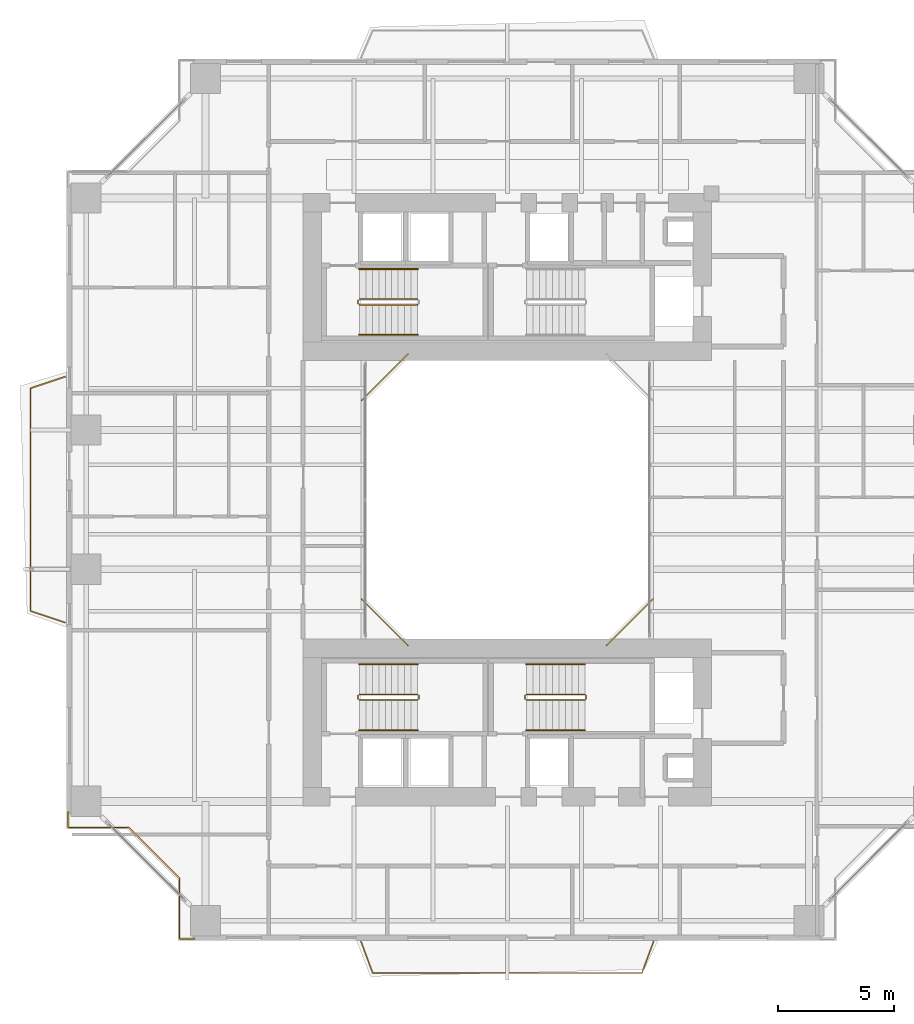
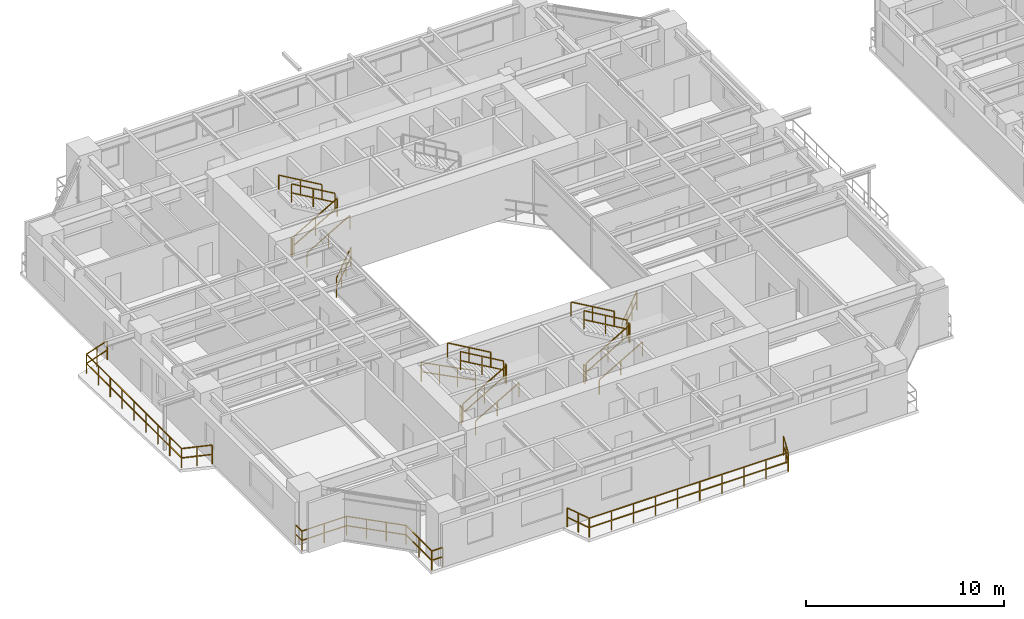
# One storey, part 20 of 23: 23 railings.
"""IFC4 building model written with IfcOpenShell, lengths in metres."""

import ifcopenshell
import ifcopenshell.guid

model = None  # the IFC model being written
_history = None  # IfcOwnerHistory: only IFC2X3 demands one
_inside = {}  # id of a spatial element -> (the spatial element, [elements in it])
_under = {}  # id of a project, library or spatial element -> (it, [spatial elements below it])
_declared = {}  # id of a project -> (the project, [libraries it declares])
_typed = {}  # id of a type object -> (the type object, [elements of that type])
_made_of = {}  # id of a material, layer set ... -> (it, [elements and type objects made of it])


def new_model(schema):
    """Start an empty IFC model of exactly this schema.

    Asked for "IFC4X3", IfcOpenShell would pick the latest addendum, in which some entities
    have other attributes; the version numbers below select the first issue.
    IFC2X3 requires an IfcOwnerHistory on every rooted entity: one is made here for all.
    """
    global model, _history
    if schema == "IFC4X3":
        model = ifcopenshell.file(schema_version=(4, 3, 0, 0))
    else:
        model = ifcopenshell.file(schema=schema)
    _inside.clear()
    _under.clear()
    _declared.clear()
    _typed.clear()
    _made_of.clear()
    _history = None
    if model.schema == "IFC2X3":
        org = make("IfcOrganization", Name="unknown")
        user = make(
            "IfcPersonAndOrganization",
            ThePerson=make("IfcPerson", FamilyName="unknown"),
            TheOrganization=org,
        )
        app = make(
            "IfcApplication",
            ApplicationDeveloper=org,
            Version="unknown",
            ApplicationFullName="unknown",
            ApplicationIdentifier="unknown",
        )
        _history = make(
            "IfcOwnerHistory",
            OwningUser=user,
            OwningApplication=app,
            ChangeAction="ADDED",
            CreationDate=0,
        )
    return model


def make(cls, **values):
    """One entity of the class cls with the attributes given. An attribute that is None is left unset."""
    return model.create_entity(
        cls, **{name: value for name, value in values.items() if value is not None}
    )


def rooted(cls, **values):
    """An entity with a GlobalId (a new one), such as an element, a storey or a relation."""
    return make(cls, GlobalId=ifcopenshell.guid.new(), OwnerHistory=_history, **values)


def si_unit(unit_type, name, prefix=None):
    """IfcSIUnit, for example si_unit("LENGTHUNIT", "METRE", prefix="MILLI")."""
    return make("IfcSIUnit", UnitType=unit_type, Prefix=prefix, Name=name)


def assignment(units):
    """IfcUnitAssignment: the units of a project."""
    return None if units is None else make("IfcUnitAssignment", Units=units)


def point(xyz):
    """IfcCartesianPoint."""
    return None if xyz is None else make("IfcCartesianPoint", Coordinates=xyz)


def direction(xyz):
    """IfcDirection."""
    return None if xyz is None else make("IfcDirection", DirectionRatios=xyz)


def frame(location, z_axis=None, x_axis=None):
    """IfcAxis2Placement3D, a coordinate frame: its origin and axes. An axis left out is left unset."""
    return make(
        "IfcAxis2Placement3D",
        Location=point(location),
        Axis=direction(z_axis),
        RefDirection=direction(x_axis),
    )


def frame_2d(location, x_axis=None):
    """IfcAxis2Placement2D, a coordinate frame in the plane: its origin and x axis."""
    return make(
        "IfcAxis2Placement2D", Location=point(location), RefDirection=direction(x_axis)
    )


def origin():
    """The frame at (0, 0, 0) with its axes left unset."""
    return frame((0.0, 0.0, 0.0))


def origin_2d():
    """The frame at (0, 0) in the plane with its x axis left unset."""
    return frame_2d((0.0, 0.0))


def place(relative_to, where):
    """IfcLocalPlacement: puts the frame where relative to a parent placement (None: the world)."""
    return make(
        "IfcLocalPlacement", PlacementRelTo=relative_to, RelativePlacement=where
    )


def context(
    kind, dimensions, precision=None, world=None, true_north=None, identifier=None
):
    """IfcGeometricRepresentationContext, for example the 3D "Model" context."""
    return make(
        "IfcGeometricRepresentationContext",
        ContextIdentifier=identifier,
        ContextType=kind,
        CoordinateSpaceDimension=dimensions,
        Precision=precision,
        WorldCoordinateSystem=world,
        TrueNorth=true_north,
    )


def subcontext(parent, identifier, kind, view, scale=None):
    """IfcGeometricRepresentationSubContext, for example "Body" below "Model"."""
    return make(
        "IfcGeometricRepresentationSubContext",
        ContextIdentifier=identifier,
        ContextType=kind,
        ParentContext=parent,
        TargetScale=scale,
        TargetView=view,
    )


def project(units=None, contexts=None):
    """IfcProject with its units and contexts."""
    return rooted(
        "IfcProject",
        Name="project",
        RepresentationContexts=contexts,
        UnitsInContext=assignment(units),
    )


def spatial(cls, under=None, at=None, **own):
    """A site, building, storey or space (cls), placed at a placement, below another one or the project."""
    s = rooted(cls, ObjectPlacement=at, **own)
    if under is not None:
        _under.setdefault(under.id(), (under, []))[1].append(s)
    return s


def profile(cls, at=None, kind="AREA", **sizes):
    """A parametric profile (cls). Its sizes go by their IFC names, for example OverallWidth=200.0."""
    return make(cls, ProfileType=kind, Position=at, **sizes)


def rectangle(**sizes):
    """IfcRectangleProfileDef."""
    return profile("IfcRectangleProfileDef", **sizes)


def extrude(swept, where, along, depth):
    """IfcExtrudedAreaSolid: the profile swept, set in the frame where, extruded along a direction by depth."""
    return make(
        "IfcExtrudedAreaSolid",
        SweptArea=swept,
        Position=where,
        ExtrudedDirection=direction(along),
        Depth=depth,
    )


def shape(context_of_items, identifier, shape_type, items):
    """IfcShapeRepresentation: the items that make up one representation, for example the "Body"."""
    return make(
        "IfcShapeRepresentation",
        ContextOfItems=context_of_items,
        RepresentationIdentifier=identifier,
        RepresentationType=shape_type,
        Items=items,
    )


def material(Name=None, Category=None):
    """IfcMaterial."""
    return make("IfcMaterial", Name=Name, Category=Category)


def made_of(thing, what):
    """Note that an element or type object is made of a material, layer set ...; save() writes the relation."""
    if what is not None:
        _made_of.setdefault(what.id(), (what, []))[1].append(thing)
    return thing


def type_object(cls, material=None, **own):
    """A type object (cls), such as IfcWallType, which elements share."""
    return made_of(rooted(cls, **own), material)


def element(
    cls,
    number,
    at=None,
    inside=None,
    cuts=None,
    type_object=None,
    material=None,
    context=None,
    identifier="Body",
    shape_type=None,
    held_by="IfcProductDefinitionShape",
    body=None,
    shapes=None,
    **own,
):
    """One element of the class cls, such as IfcWall. Its Tag is "e" and its number.

    at: its placement. inside: the storey or other place that contains it. cuts: it is an
    opening in that element (IfcRelVoidsElement). A single representation is given by context,
    identifier, shape_type and body (its items); several are given by shapes. held_by: the class
    of the entity that holds the representations. save() writes the other relations.
    """
    e = rooted(cls, Tag="e%d" % number, ObjectPlacement=at, **own)
    if body is not None:
        shapes = [shape(context, identifier, shape_type, body)]
    if shapes is not None:
        e.Representation = make(held_by, Representations=shapes)
    if inside is not None:
        _inside.setdefault(inside.id(), (inside, []))[1].append(e)
    if cuts is not None:
        rooted(
            "IfcRelVoidsElement", RelatingBuildingElement=cuts, RelatedOpeningElement=e
        )
    if type_object is not None:
        _typed.setdefault(type_object.id(), (type_object, []))[1].append(e)
    return made_of(e, material)


def aggregate(whole, parts):
    """IfcRelAggregates: a whole, such as a stair, and the parts it consists of."""
    return rooted("IfcRelAggregates", RelatingObject=whole, RelatedObjects=parts)


def save(model, path):
    """Write the relations noted so far, then the file.

    IfcRelAggregates (storeys below a building ...), IfcRelContainedInSpatialStructure (elements
    in a storey), IfcRelDefinesByType, IfcRelAssociatesMaterial and IfcRelDeclares: one each for
    every whole, place, type object, material and project.
    """
    for whole, parts in _under.values():
        aggregate(whole, parts)
    for where, things in _inside.values():
        rooted(
            "IfcRelContainedInSpatialStructure",
            RelatedElements=things,
            RelatingStructure=where,
        )
    for kind, things in _typed.values():
        rooted("IfcRelDefinesByType", RelatedObjects=things, RelatingType=kind)
    for what, things in _made_of.values():
        rooted("IfcRelAssociatesMaterial", RelatedObjects=things, RelatingMaterial=what)
    for by, libraries in _declared.values():
        rooted("IfcRelDeclares", RelatingContext=by, RelatedDefinitions=libraries)
    model.write(path)


model = new_model("IFC4")

# Units and contexts
model_context = context("Model", 3, precision=1e-05, world=origin(), true_north=direction((0.0, 1.0)))
body_context = subcontext(model_context, "Body", "Model", "MODEL_VIEW")
ifc_project = project(units=[si_unit("LENGTHUNIT", "METRE"), si_unit("AREAUNIT", "SQUARE_METRE"), si_unit("VOLUMEUNIT", "CUBIC_METRE"), si_unit("PLANEANGLEUNIT", "RADIAN"), si_unit("MASSUNIT", "GRAM", prefix="KILO"), si_unit("THERMODYNAMICTEMPERATUREUNIT", "KELVIN"), si_unit("POWERUNIT", "WATT")], contexts=[model_context])

# Site, building, storey
site_placement = place(None, origin())
site = spatial("IfcSite", under=ifc_project, at=site_placement, CompositionType="ELEMENT")
building_placement = place(site_placement, origin())
building = spatial("IfcBuilding", under=site, at=building_placement, Name="Qiaomeng Ring Towers", CompositionType="ELEMENT")
storey_placement = place(building_placement, frame((0.0, 0.0, 39.25)))
storey = spatial("IfcBuildingStorey", under=building, at=storey_placement, Name="L10", CompositionType="ELEMENT", Elevation=39.25)

# Railings
ifc_material_1 = material(Name="Low-E pale-green laminated safety glass", Category="glass")
railing_type_1 = type_object("IfcRailingType", Name="ARC-RL-BAL1", PredefinedType="BALUSTRADE", material=ifc_material_1)
railing_1_placement = place(storey_placement, frame((23.280029296875, 16.719970703125, 0.0)))
element("IfcRailing", 1, at=railing_1_placement, inside=storey, type_object=railing_type_1, Name="L10 Balustrade ARC-BAL-WELL1-L10-1", PredefinedType="BALUSTRADE", context=body_context, shape_type="SweptSolid", body=[
    extrude(rectangle(XDim=0.048095703125, YDim=0.048095703125, at=origin_2d()), frame((0.0, 0.0, 1.17578125), z_axis=(0.707106781187, 0.707106781187, 0.0), x_axis=(-0.707106781187, 0.707106781187, 0.0)), (0.0, 0.0, 1.0), 2.828369140625),
    extrude(rectangle(XDim=0.048095703125, YDim=0.048095703125, at=origin_2d()), frame((0.0, 0.0, 0.60009765625), z_axis=(0.707106781187, 0.707106781187, 0.0), x_axis=(-0.707106781187, 0.707106781187, 0.0)), (0.0, 0.0, 1.0), 2.828369140625),
    extrude(rectangle(XDim=0.0419921875, YDim=0.0419921875, at=origin_2d()), origin(), (0.0, 0.0, 1.0), 1.15185546875),
    extrude(rectangle(XDim=0.0419921875, YDim=0.0419921875, at=origin_2d()), frame((0.666748046875, 0.666748046875, 0.0)), (0.0, 0.0, 1.0), 1.15185546875),
    extrude(rectangle(XDim=0.0419921875, YDim=0.0419921875, at=origin_2d()), frame((1.333251953125, 1.333251953125, 0.0)), (0.0, 0.0, 1.0), 1.15185546875),
    extrude(rectangle(XDim=0.0419921875, YDim=0.0419921875, at=origin_2d()), frame((2.0, 2.0, 0.0)), (0.0, 0.0, 1.0), 1.15185546875),
])
railing_2_placement = place(storey_placement, frame((14.719970703125, 29.280029296875, 0.0)))
element("IfcRailing", 2, at=railing_2_placement, inside=storey, type_object=railing_type_1, Name="L10 Balustrade ARC-BAL-WELL1-L10-3", PredefinedType="BALUSTRADE", context=body_context, shape_type="SweptSolid", body=[
    extrude(rectangle(XDim=0.048095703125, YDim=0.048095703125, at=origin_2d()), frame((0.0, 0.0, 1.17578125), z_axis=(-0.707106781187, -0.707106781187, 0.0), x_axis=(0.707106781187, -0.707106781187, 0.0)), (0.0, 0.0, 1.0), 2.828369140625),
    extrude(rectangle(XDim=0.048095703125, YDim=0.048095703125, at=origin_2d()), frame((0.0, 0.0, 0.60009765625), z_axis=(-0.707106781187, -0.707106781187, 0.0), x_axis=(0.707106781187, -0.707106781187, 0.0)), (0.0, 0.0, 1.0), 2.828369140625),
    extrude(rectangle(XDim=0.0419921875, YDim=0.0419921875, at=origin_2d()), origin(), (0.0, 0.0, 1.0), 1.15185546875),
    extrude(rectangle(XDim=0.0419921875, YDim=0.0419921875, at=origin_2d()), frame((-0.666748046875, -0.666748046875, 0.0)), (0.0, 0.0, 1.0), 1.15185546875),
    extrude(rectangle(XDim=0.0419921875, YDim=0.0419921875, at=origin_2d()), frame((-1.333251953125, -1.333251953125, 0.0)), (0.0, 0.0, 1.0), 1.15185546875),
    extrude(rectangle(XDim=0.0419921875, YDim=0.0419921875, at=origin_2d()), frame((-2.0, -2.0, 0.0)), (0.0, 0.0, 1.0), 1.15185546875),
])
railing_3_placement = place(storey_placement, frame((12.719970703125, 18.719970703125, 0.0)))
element("IfcRailing", 3, at=railing_3_placement, inside=storey, type_object=railing_type_1, Name="L10 Balustrade ARC-BAL-WELL1-L10-4", PredefinedType="BALUSTRADE", context=body_context, shape_type="SweptSolid", body=[
    extrude(rectangle(XDim=0.048095703125, YDim=0.048095703125, at=origin_2d()), frame((0.0, 0.0, 1.17578125), z_axis=(0.707106781187, -0.707106781187, 0.0), x_axis=(0.707106781187, 0.707106781187, 0.0)), (0.0, 0.0, 1.0), 2.828369140625),
    extrude(rectangle(XDim=0.048095703125, YDim=0.048095703125, at=origin_2d()), frame((0.0, 0.0, 0.60009765625), z_axis=(0.707106781187, -0.707106781187, 0.0), x_axis=(0.707106781187, 0.707106781187, 0.0)), (0.0, 0.0, 1.0), 2.828369140625),
    extrude(rectangle(XDim=0.0419921875, YDim=0.0419921875, at=origin_2d()), origin(), (0.0, 0.0, 1.0), 1.15185546875),
    extrude(rectangle(XDim=0.0419921875, YDim=0.0419921875, at=origin_2d()), frame((0.666748046875, -0.666748046875, 0.0)), (0.0, 0.0, 1.0), 1.15185546875),
    extrude(rectangle(XDim=0.0419921875, YDim=0.0419921875, at=origin_2d()), frame((1.333251953125, -1.333251953125, 0.0)), (0.0, 0.0, 1.0), 1.15185546875),
    extrude(rectangle(XDim=0.0419921875, YDim=0.0419921875, at=origin_2d()), frame((2.0, -2.0, 0.0)), (0.0, 0.0, 1.0), 1.15185546875),
])
railing_4_placement = place(storey_placement, frame((0.080078125, 9.530029296875, 0.0)))
element("IfcRailing", 4, at=railing_4_placement, inside=storey, type_object=railing_type_1, Name="L10 Balustrade ARC-BAL-NOTCH1-L10-SW", PredefinedType="BALUSTRADE", context=body_context, shape_type="SweptSolid", body=[
    extrude(rectangle(XDim=0.048095703125, YDim=0.048095703125, at=origin_2d()), frame((0.0, 0.0, 1.17578125), z_axis=(0.0, -1.0, 0.0), x_axis=(1.0, 0.0, 0.0)), (0.0, 0.0, 1.0), 0.650146484375),
    extrude(rectangle(XDim=0.048095703125, YDim=0.048095703125, at=origin_2d()), frame((0.0, 0.0, 0.60009765625), z_axis=(0.0, -1.0, 0.0), x_axis=(1.0, 0.0, 0.0)), (0.0, 0.0, 1.0), 0.650146484375),
    extrude(rectangle(XDim=0.048095703125, YDim=0.048095703125, at=origin_2d()), frame((0.0, -0.650146484375, 1.17578125), z_axis=(1.0, 0.0, 0.0), x_axis=(0.0, 1.0, 0.0)), (0.0, 0.0, 1.0), 2.599853515625),
    extrude(rectangle(XDim=0.048095703125, YDim=0.048095703125, at=origin_2d()), frame((0.0, -0.650146484375, 0.60009765625), z_axis=(1.0, 0.0, 0.0), x_axis=(0.0, 1.0, 0.0)), (0.0, 0.0, 1.0), 2.599853515625),
    extrude(rectangle(XDim=0.048095703125, YDim=0.048095703125, at=origin_2d()), frame((2.599853515625, -0.650146484375, 1.17578125), z_axis=(0.707106781187, -0.707106781187, 0.0), x_axis=(0.707106781187, 0.707106781187, 0.0)), (0.0, 0.0, 1.0), 3.111083984375),
    extrude(rectangle(XDim=0.048095703125, YDim=0.048095703125, at=origin_2d()), frame((2.599853515625, -0.650146484375, 0.60009765625), z_axis=(0.707106781187, -0.707106781187, 0.0), x_axis=(0.707106781187, 0.707106781187, 0.0)), (0.0, 0.0, 1.0), 3.111083984375),
    extrude(rectangle(XDim=0.048095703125, YDim=0.048095703125, at=origin_2d()), frame((4.7998046875, -2.85009765625, 1.17578125), z_axis=(0.0, -1.0, 0.0), x_axis=(1.0, 0.0, 0.0)), (0.0, 0.0, 1.0), 2.599853515625),
    extrude(rectangle(XDim=0.048095703125, YDim=0.048095703125, at=origin_2d()), frame((4.7998046875, -2.85009765625, 0.60009765625), z_axis=(0.0, -1.0, 0.0), x_axis=(1.0, 0.0, 0.0)), (0.0, 0.0, 1.0), 2.599853515625),
    extrude(rectangle(XDim=0.048095703125, YDim=0.048095703125, at=origin_2d()), frame((4.7998046875, -5.449951171875, 1.17578125), z_axis=(1.0, 0.0, 0.0), x_axis=(0.0, 1.0, 0.0)), (0.0, 0.0, 1.0), 0.650146484375),
    extrude(rectangle(XDim=0.048095703125, YDim=0.048095703125, at=origin_2d()), frame((4.7998046875, -5.449951171875, 0.60009765625), z_axis=(1.0, 0.0, 0.0), x_axis=(0.0, 1.0, 0.0)), (0.0, 0.0, 1.0), 0.650146484375),
    extrude(rectangle(XDim=0.0419921875, YDim=0.0419921875, at=origin_2d()), origin(), (0.0, 0.0, 1.0), 1.15185546875),
    extrude(rectangle(XDim=0.0419921875, YDim=0.0419921875, at=origin_2d()), frame((0.0, -0.650146484375, 0.0)), (0.0, 0.0, 1.0), 1.15185546875),
    extrude(rectangle(XDim=0.0419921875, YDim=0.0419921875, at=origin_2d()), frame((1.2998046875, -0.650146484375, 0.0)), (0.0, 0.0, 1.0), 1.15185546875),
    extrude(rectangle(XDim=0.0419921875, YDim=0.0419921875, at=origin_2d()), frame((2.599853515625, -0.650146484375, 0.0)), (0.0, 0.0, 1.0), 1.15185546875),
    extrude(rectangle(XDim=0.0419921875, YDim=0.0419921875, at=origin_2d()), frame((3.333251953125, -1.383544921875, 0.0)), (0.0, 0.0, 1.0), 1.15185546875),
    extrude(rectangle(XDim=0.0419921875, YDim=0.0419921875, at=origin_2d()), frame((4.06640625, -2.11669921875, 0.0)), (0.0, 0.0, 1.0), 1.15185546875),
    extrude(rectangle(XDim=0.0419921875, YDim=0.0419921875, at=origin_2d()), frame((4.7998046875, -2.85009765625, 0.0)), (0.0, 0.0, 1.0), 1.15185546875),
    extrude(rectangle(XDim=0.0419921875, YDim=0.0419921875, at=origin_2d()), frame((4.7998046875, -4.14990234375, 0.0)), (0.0, 0.0, 1.0), 1.15185546875),
    extrude(rectangle(XDim=0.0419921875, YDim=0.0419921875, at=origin_2d()), frame((4.7998046875, -5.449951171875, 0.0)), (0.0, 0.0, 1.0), 1.15185546875),
    extrude(rectangle(XDim=0.0419921875, YDim=0.0419921875, at=origin_2d()), frame((5.449951171875, -5.449951171875, 0.0)), (0.0, 0.0, 1.0), 1.15185546875),
])
railing_5_placement = place(storey_placement, frame((12.699951171875, 3.949951171875, 0.0)))
element("IfcRailing", 5, at=railing_5_placement, inside=storey, type_object=railing_type_1, Name="L10 Balustrade ARC-BAL-L10-T1-S", PredefinedType="BALUSTRADE", context=body_context, shape_type="SweptSolid", body=[
    extrude(rectangle(XDim=0.048095703125, YDim=0.048095703125, at=origin_2d()), frame((0.0, 0.0, 1.17578125), z_axis=(0.347347498827, -0.937736484871, 0.0), x_axis=(0.937736484871, 0.347347498827, 0.0)), (0.0, 0.0, 1.0), 1.439453125),
    extrude(rectangle(XDim=0.048095703125, YDim=0.048095703125, at=origin_2d()), frame((0.0, 0.0, 0.60009765625), z_axis=(0.347347498827, -0.937736484871, 0.0), x_axis=(0.937736484871, 0.347347498827, 0.0)), (0.0, 0.0, 1.0), 1.439453125),
    extrude(rectangle(XDim=0.048095703125, YDim=0.048095703125, at=origin_2d()), frame((0.5, -1.349853515625, 1.17578125), z_axis=(1.0, 0.0, 0.0), x_axis=(0.0, 1.0, 0.0)), (0.0, 0.0, 1.0), 11.60009765625),
    extrude(rectangle(XDim=0.048095703125, YDim=0.048095703125, at=origin_2d()), frame((0.5, -1.349853515625, 0.60009765625), z_axis=(1.0, 0.0, 0.0), x_axis=(0.0, 1.0, 0.0)), (0.0, 0.0, 1.0), 11.60009765625),
    extrude(rectangle(XDim=0.048095703125, YDim=0.048095703125, at=origin_2d()), frame((12.10009765625, -1.349853515625, 1.17578125), z_axis=(0.347347498827, 0.937736484871, 0.0), x_axis=(-0.937736484871, 0.347347498827, 0.0)), (0.0, 0.0, 1.0), 1.439453125),
    extrude(rectangle(XDim=0.048095703125, YDim=0.048095703125, at=origin_2d()), frame((12.10009765625, -1.349853515625, 0.60009765625), z_axis=(0.347347498827, 0.937736484871, 0.0), x_axis=(-0.937736484871, 0.347347498827, 0.0)), (0.0, 0.0, 1.0), 1.439453125),
    extrude(rectangle(XDim=0.0419921875, YDim=0.0419921875, at=origin_2d()), origin(), (0.0, 0.0, 1.0), 1.15185546875),
    extrude(rectangle(XDim=0.0419921875, YDim=0.0419921875, at=origin_2d()), frame((0.25, -0.6748046875, 0.0)), (0.0, 0.0, 1.0), 1.15185546875),
    extrude(rectangle(XDim=0.0419921875, YDim=0.0419921875, at=origin_2d()), frame((0.5, -1.349853515625, 0.0)), (0.0, 0.0, 1.0), 1.15185546875),
    extrude(rectangle(XDim=0.0419921875, YDim=0.0419921875, at=origin_2d()), frame((1.788818359375, -1.349853515625, 0.0)), (0.0, 0.0, 1.0), 1.15185546875),
    extrude(rectangle(XDim=0.0419921875, YDim=0.0419921875, at=origin_2d()), frame((3.077880859375, -1.349853515625, 0.0)), (0.0, 0.0, 1.0), 1.15185546875),
    extrude(rectangle(XDim=0.0419921875, YDim=0.0419921875, at=origin_2d()), frame((4.36669921875, -1.349853515625, 0.0)), (0.0, 0.0, 1.0), 1.15185546875),
    extrude(rectangle(XDim=0.0419921875, YDim=0.0419921875, at=origin_2d()), frame((5.655517578125, -1.349853515625, 0.0)), (0.0, 0.0, 1.0), 1.15185546875),
    extrude(rectangle(XDim=0.0419921875, YDim=0.0419921875, at=origin_2d()), frame((6.944580078125, -1.349853515625, 0.0)), (0.0, 0.0, 1.0), 1.15185546875),
    extrude(rectangle(XDim=0.0419921875, YDim=0.0419921875, at=origin_2d()), frame((8.2333984375, -1.349853515625, 0.0)), (0.0, 0.0, 1.0), 1.15185546875),
    extrude(rectangle(XDim=0.0419921875, YDim=0.0419921875, at=origin_2d()), frame((9.522216796875, -1.349853515625, 0.0)), (0.0, 0.0, 1.0), 1.15185546875),
    extrude(rectangle(XDim=0.0419921875, YDim=0.0419921875, at=origin_2d()), frame((10.811279296875, -1.349853515625, 0.0)), (0.0, 0.0, 1.0), 1.15185546875),
    extrude(rectangle(XDim=0.0419921875, YDim=0.0419921875, at=origin_2d()), frame((12.10009765625, -1.349853515625, 0.0)), (0.0, 0.0, 1.0), 1.15185546875),
    extrude(rectangle(XDim=0.0419921875, YDim=0.0419921875, at=origin_2d()), frame((12.35009765625, -0.6748046875, 0.0)), (0.0, 0.0, 1.0), 1.15185546875),
    extrude(rectangle(XDim=0.0419921875, YDim=0.0419921875, at=origin_2d()), frame((12.60009765625, 0.0, 0.0)), (0.0, 0.0, 1.0), 1.15185546875),
])
railing_6_placement = place(storey_placement, frame((-0.050048828125, 17.699951171875, 0.0)))
element("IfcRailing", 6, at=railing_6_placement, inside=storey, type_object=railing_type_1, Name="L10 Balustrade ARC-BAL-L10-T1-W", PredefinedType="BALUSTRADE", context=body_context, shape_type="SweptSolid", body=[
    extrude(rectangle(XDim=0.048095703125, YDim=0.048095703125, at=origin_2d()), frame((0.0, 0.0, 1.17578125), z_axis=(-0.948683298051, 0.316227766017, 0.0), x_axis=(-0.316227766017, -0.948683298051, 0.0)), (0.0, 0.0, 1.0), 1.5810546875),
    extrude(rectangle(XDim=0.048095703125, YDim=0.048095703125, at=origin_2d()), frame((0.0, 0.0, 0.60009765625), z_axis=(-0.948683298051, 0.316227766017, 0.0), x_axis=(-0.316227766017, -0.948683298051, 0.0)), (0.0, 0.0, 1.0), 1.5810546875),
    extrude(rectangle(XDim=0.048095703125, YDim=0.048095703125, at=origin_2d()), frame((-1.5, 0.5, 1.17578125), z_axis=(0.0, 1.0, 0.0), x_axis=(-1.0, 0.0, 0.0)), (0.0, 0.0, 1.0), 9.60009765625),
    extrude(rectangle(XDim=0.048095703125, YDim=0.048095703125, at=origin_2d()), frame((-1.5, 0.5, 0.60009765625), z_axis=(0.0, 1.0, 0.0), x_axis=(-1.0, 0.0, 0.0)), (0.0, 0.0, 1.0), 9.60009765625),
    extrude(rectangle(XDim=0.048095703125, YDim=0.048095703125, at=origin_2d()), frame((-1.5, 10.10009765625, 1.17578125), z_axis=(0.948683298051, 0.316227766017, 0.0), x_axis=(-0.316227766017, 0.948683298051, 0.0)), (0.0, 0.0, 1.0), 1.5810546875),
    extrude(rectangle(XDim=0.048095703125, YDim=0.048095703125, at=origin_2d()), frame((-1.5, 10.10009765625, 0.60009765625), z_axis=(0.948683298051, 0.316227766017, 0.0), x_axis=(-0.316227766017, 0.948683298051, 0.0)), (0.0, 0.0, 1.0), 1.5810546875),
    extrude(rectangle(XDim=0.0419921875, YDim=0.0419921875, at=origin_2d()), origin(), (0.0, 0.0, 1.0), 1.15185546875),
    extrude(rectangle(XDim=0.0419921875, YDim=0.0419921875, at=origin_2d()), frame((-0.75, 0.25, 0.0)), (0.0, 0.0, 1.0), 1.15185546875),
    extrude(rectangle(XDim=0.0419921875, YDim=0.0419921875, at=origin_2d()), frame((-1.5, 0.5, 0.0)), (0.0, 0.0, 1.0), 1.15185546875),
    extrude(rectangle(XDim=0.0419921875, YDim=0.0419921875, at=origin_2d()), frame((-1.5, 1.699951171875, 0.0)), (0.0, 0.0, 1.0), 1.15185546875),
    extrude(rectangle(XDim=0.0419921875, YDim=0.0419921875, at=origin_2d()), frame((-1.5, 2.89990234375, 0.0)), (0.0, 0.0, 1.0), 1.15185546875),
    extrude(rectangle(XDim=0.0419921875, YDim=0.0419921875, at=origin_2d()), frame((-1.5, 4.10009765625, 0.0)), (0.0, 0.0, 1.0), 1.15185546875),
    extrude(rectangle(XDim=0.0419921875, YDim=0.0419921875, at=origin_2d()), frame((-1.5, 5.300048828125, 0.0)), (0.0, 0.0, 1.0), 1.15185546875),
    extrude(rectangle(XDim=0.0419921875, YDim=0.0419921875, at=origin_2d()), frame((-1.5, 6.5, 0.0)), (0.0, 0.0, 1.0), 1.15185546875),
    extrude(rectangle(XDim=0.0419921875, YDim=0.0419921875, at=origin_2d()), frame((-1.5, 7.7001953125, 0.0)), (0.0, 0.0, 1.0), 1.15185546875),
    extrude(rectangle(XDim=0.0419921875, YDim=0.0419921875, at=origin_2d()), frame((-1.5, 8.900146484375, 0.0)), (0.0, 0.0, 1.0), 1.15185546875),
    extrude(rectangle(XDim=0.0419921875, YDim=0.0419921875, at=origin_2d()), frame((-1.5, 10.10009765625, 0.0)), (0.0, 0.0, 1.0), 1.15185546875),
    extrude(rectangle(XDim=0.0419921875, YDim=0.0419921875, at=origin_2d()), frame((-0.75, 10.35009765625, 0.0)), (0.0, 0.0, 1.0), 1.15185546875),
    extrude(rectangle(XDim=0.0419921875, YDim=0.0419921875, at=origin_2d()), frame((0.0, 10.60009765625, 0.0)), (0.0, 0.0, 1.0), 1.15185546875),
])
ifc_material_2 = material(Name="Galvanised steel", Category="steel")
railing_type_2 = type_object("IfcRailingType", Name="ARC-RL-GUARD", PredefinedType="GUARDRAIL", material=ifc_material_2)
railing_7_placement = place(storey_placement, frame((12.6201171875, 31.39990234375, 0.16259765625)))
element("IfcRailing", 7, at=railing_7_placement, inside=storey, type_object=railing_type_2, Name="L10 ST1 stair guard 1", PredefinedType="GUARDRAIL", context=body_context, shape_type="SweptSolid", body=[
    extrude(rectangle(XDim=0.048095703125, YDim=0.048095703125, at=origin_2d()), frame((0.0, 0.0, 1.1259765625), z_axis=(0.864892226395, 0.0, 0.501957604506), x_axis=(0.0, 1.0, 0.0)), (0.0, 0.0, 1.0), 2.913330078125),
    extrude(rectangle(XDim=0.048095703125, YDim=0.048095703125, at=origin_2d()), frame((0.0, 0.0, 0.574951171875), z_axis=(0.864892226395, 0.0, 0.501957604506), x_axis=(0.0, 1.0, 0.0)), (0.0, 0.0, 1.0), 2.913330078125),
    extrude(rectangle(XDim=0.0419921875, YDim=0.0419921875, at=origin_2d()), origin(), (0.0, 0.0, 1.0), 1.101806640625),
    extrude(rectangle(XDim=0.0419921875, YDim=0.0419921875, at=origin_2d()), frame((1.259765625, 0.0, 0.731201171875)), (0.0, 0.0, 1.0), 1.101806640625),
    extrude(rectangle(XDim=0.0419921875, YDim=0.0419921875, at=origin_2d()), frame((2.519775390625, 0.0, 1.46240234375)), (0.0, 0.0, 1.0), 1.101806640625),
])
railing_8_placement = place(storey_placement, frame((15.139892578125, 31.639892578125, 1.78759765625)))
element("IfcRailing", 8, at=railing_8_placement, inside=storey, type_object=railing_type_2, Name="L10 ST1 stair guard 3", PredefinedType="GUARDRAIL", context=body_context, shape_type="SweptSolid", body=[
    extrude(rectangle(XDim=0.048095703125, YDim=0.048095703125, at=origin_2d()), frame((0.0, 0.0, 1.1259765625), z_axis=(-0.864892226395, 0.0, 0.501957604506), x_axis=(0.0, -1.0, 0.0)), (0.0, 0.0, 1.0), 2.913330078125),
    extrude(rectangle(XDim=0.048095703125, YDim=0.048095703125, at=origin_2d()), frame((0.0, 0.0, 0.574951171875), z_axis=(-0.864892226395, 0.0, 0.501957604506), x_axis=(0.0, -1.0, 0.0)), (0.0, 0.0, 1.0), 2.913330078125),
    extrude(rectangle(XDim=0.0419921875, YDim=0.0419921875, at=origin_2d()), origin(), (0.0, 0.0, 1.0), 1.101806640625),
    extrude(rectangle(XDim=0.0419921875, YDim=0.0419921875, at=origin_2d()), frame((-1.259765625, 0.0, 0.731201171875)), (0.0, 0.0, 1.0), 1.101806640625),
    extrude(rectangle(XDim=0.0419921875, YDim=0.0419921875, at=origin_2d()), frame((-2.519775390625, 0.0, 1.46240234375)), (0.0, 0.0, 1.0), 1.101806640625),
])
railing_9_placement = place(storey_placement, frame((12.570068359375, 31.449951171875, 0.0)))
element("IfcRailing", 9, at=railing_9_placement, inside=storey, type_object=railing_type_2, Name="L10 ST1 stair guard 4", PredefinedType="GUARDRAIL", context=body_context, shape_type="SweptSolid", body=[
    extrude(rectangle(XDim=0.048095703125, YDim=0.048095703125, at=origin_2d()), frame((0.0, 0.0, 1.1259765625), z_axis=(0.0, 1.0, 0.0), x_axis=(-1.0, 0.0, 0.0)), (0.0, 0.0, 1.0), 0.14013671875),
    extrude(rectangle(XDim=0.048095703125, YDim=0.048095703125, at=origin_2d()), frame((0.0, 0.0, 0.574951171875), z_axis=(0.0, 1.0, 0.0), x_axis=(-1.0, 0.0, 0.0)), (0.0, 0.0, 1.0), 0.14013671875),
    extrude(rectangle(XDim=0.0419921875, YDim=0.0419921875, at=origin_2d()), origin(), (0.0, 0.0, 1.0), 1.101806640625),
    extrude(rectangle(XDim=0.0419921875, YDim=0.0419921875, at=origin_2d()), frame((0.0, 0.14013671875, 0.0)), (0.0, 0.0, 1.0), 1.101806640625),
])
railing_10_placement = place(storey_placement, frame((12.6201171875, 14.360107421875, 0.16259765625)))
element("IfcRailing", 10, at=railing_10_placement, inside=storey, type_object=railing_type_2, Name="L10 ST3 stair guard 1", PredefinedType="GUARDRAIL", context=body_context, shape_type="SweptSolid", body=[
    extrude(rectangle(XDim=0.048095703125, YDim=0.048095703125, at=origin_2d()), frame((0.0, 0.0, 1.1259765625), z_axis=(0.864892226395, 0.0, 0.501957604506), x_axis=(0.0, 1.0, 0.0)), (0.0, 0.0, 1.0), 2.913330078125),
    extrude(rectangle(XDim=0.048095703125, YDim=0.048095703125, at=origin_2d()), frame((0.0, 0.0, 0.574951171875), z_axis=(0.864892226395, 0.0, 0.501957604506), x_axis=(0.0, 1.0, 0.0)), (0.0, 0.0, 1.0), 2.913330078125),
    extrude(rectangle(XDim=0.0419921875, YDim=0.0419921875, at=origin_2d()), origin(), (0.0, 0.0, 1.0), 1.101806640625),
    extrude(rectangle(XDim=0.0419921875, YDim=0.0419921875, at=origin_2d()), frame((1.259765625, 0.0, 0.731201171875)), (0.0, 0.0, 1.0), 1.101806640625),
    extrude(rectangle(XDim=0.0419921875, YDim=0.0419921875, at=origin_2d()), frame((2.519775390625, 0.0, 1.46240234375)), (0.0, 0.0, 1.0), 1.101806640625),
])
railing_11_placement = place(storey_placement, frame((15.18994140625, 14.409912109375, 1.625)))
element("IfcRailing", 11, at=railing_11_placement, inside=storey, type_object=railing_type_2, Name="L10 ST3 stair guard 2", PredefinedType="GUARDRAIL", context=body_context, shape_type="SweptSolid", body=[
    extrude(rectangle(XDim=0.048095703125, YDim=0.048095703125, at=origin_2d()), frame((0.0, 0.0, 1.1259765625), z_axis=(0.0, 1.0, 0.0), x_axis=(-1.0, 0.0, 0.0)), (0.0, 0.0, 1.0), 0.14013671875),
    extrude(rectangle(XDim=0.048095703125, YDim=0.048095703125, at=origin_2d()), frame((0.0, 0.0, 0.574951171875), z_axis=(0.0, 1.0, 0.0), x_axis=(-1.0, 0.0, 0.0)), (0.0, 0.0, 1.0), 0.14013671875),
    extrude(rectangle(XDim=0.0419921875, YDim=0.0419921875, at=origin_2d()), origin(), (0.0, 0.0, 1.0), 1.101806640625),
    extrude(rectangle(XDim=0.0419921875, YDim=0.0419921875, at=origin_2d()), frame((0.0, 0.14013671875, 0.0)), (0.0, 0.0, 1.0), 1.101806640625),
])
railing_12_placement = place(storey_placement, frame((15.139892578125, 14.60009765625, 1.78759765625)))
element("IfcRailing", 12, at=railing_12_placement, inside=storey, type_object=railing_type_2, Name="L10 ST3 stair guard 3", PredefinedType="GUARDRAIL", context=body_context, shape_type="SweptSolid", body=[
    extrude(rectangle(XDim=0.048095703125, YDim=0.048095703125, at=origin_2d()), frame((0.0, 0.0, 1.1259765625), z_axis=(-0.864892226395, 0.0, 0.501957604506), x_axis=(0.0, -1.0, 0.0)), (0.0, 0.0, 1.0), 2.913330078125),
    extrude(rectangle(XDim=0.048095703125, YDim=0.048095703125, at=origin_2d()), frame((0.0, 0.0, 0.574951171875), z_axis=(-0.864892226395, 0.0, 0.501957604506), x_axis=(0.0, -1.0, 0.0)), (0.0, 0.0, 1.0), 2.913330078125),
    extrude(rectangle(XDim=0.0419921875, YDim=0.0419921875, at=origin_2d()), origin(), (0.0, 0.0, 1.0), 1.101806640625),
    extrude(rectangle(XDim=0.0419921875, YDim=0.0419921875, at=origin_2d()), frame((-1.259765625, 0.0, 0.731201171875)), (0.0, 0.0, 1.0), 1.101806640625),
    extrude(rectangle(XDim=0.0419921875, YDim=0.0419921875, at=origin_2d()), frame((-2.519775390625, 0.0, 1.46240234375)), (0.0, 0.0, 1.0), 1.101806640625),
])
railing_13_placement = place(storey_placement, frame((12.570068359375, 14.409912109375, 0.0)))
element("IfcRailing", 13, at=railing_13_placement, inside=storey, type_object=railing_type_2, Name="L10 ST3 stair guard 4", PredefinedType="GUARDRAIL", context=body_context, shape_type="SweptSolid", body=[
    extrude(rectangle(XDim=0.048095703125, YDim=0.048095703125, at=origin_2d()), frame((0.0, 0.0, 1.1259765625), z_axis=(0.0, 1.0, 0.0), x_axis=(-1.0, 0.0, 0.0)), (0.0, 0.0, 1.0), 0.14013671875),
    extrude(rectangle(XDim=0.048095703125, YDim=0.048095703125, at=origin_2d()), frame((0.0, 0.0, 0.574951171875), z_axis=(0.0, 1.0, 0.0), x_axis=(-1.0, 0.0, 0.0)), (0.0, 0.0, 1.0), 0.14013671875),
    extrude(rectangle(XDim=0.0419921875, YDim=0.0419921875, at=origin_2d()), origin(), (0.0, 0.0, 1.0), 1.101806640625),
    extrude(rectangle(XDim=0.0419921875, YDim=0.0419921875, at=origin_2d()), frame((0.0, 0.14013671875, 0.0)), (0.0, 0.0, 1.0), 1.101806640625),
])
railing_14_placement = place(storey_placement, frame((19.820068359375, 14.360107421875, 0.16259765625)))
element("IfcRailing", 14, at=railing_14_placement, inside=storey, type_object=railing_type_2, Name="L10 ST4 stair guard 1", PredefinedType="GUARDRAIL", context=body_context, shape_type="SweptSolid", body=[
    extrude(rectangle(XDim=0.048095703125, YDim=0.048095703125, at=origin_2d()), frame((0.0, 0.0, 1.1259765625), z_axis=(0.864913338283, 0.0, 0.50192122615), x_axis=(0.0, 1.0, 0.0)), (0.0, 0.0, 1.0), 2.91357421875),
    extrude(rectangle(XDim=0.048095703125, YDim=0.048095703125, at=origin_2d()), frame((0.0, 0.0, 0.574951171875), z_axis=(0.864913338283, 0.0, 0.50192122615), x_axis=(0.0, 1.0, 0.0)), (0.0, 0.0, 1.0), 2.91357421875),
    extrude(rectangle(XDim=0.0419921875, YDim=0.0419921875, at=origin_2d()), origin(), (0.0, 0.0, 1.0), 1.101806640625),
    extrude(rectangle(XDim=0.0419921875, YDim=0.0419921875, at=origin_2d()), frame((1.260009765625, 0.0, 0.731201171875)), (0.0, 0.0, 1.0), 1.101806640625),
    extrude(rectangle(XDim=0.0419921875, YDim=0.0419921875, at=origin_2d()), frame((2.52001953125, 0.0, 1.46240234375)), (0.0, 0.0, 1.0), 1.101806640625),
])
railing_15_placement = place(storey_placement, frame((22.389892578125, 14.409912109375, 1.625)))
element("IfcRailing", 15, at=railing_15_placement, inside=storey, type_object=railing_type_2, Name="L10 ST4 stair guard 2", PredefinedType="GUARDRAIL", context=body_context, shape_type="SweptSolid", body=[
    extrude(rectangle(XDim=0.048095703125, YDim=0.048095703125, at=origin_2d()), frame((0.0, 0.0, 1.1259765625), z_axis=(0.0, 1.0, 0.0), x_axis=(-1.0, 0.0, 0.0)), (0.0, 0.0, 1.0), 0.14013671875),
    extrude(rectangle(XDim=0.048095703125, YDim=0.048095703125, at=origin_2d()), frame((0.0, 0.0, 0.574951171875), z_axis=(0.0, 1.0, 0.0), x_axis=(-1.0, 0.0, 0.0)), (0.0, 0.0, 1.0), 0.14013671875),
    extrude(rectangle(XDim=0.0419921875, YDim=0.0419921875, at=origin_2d()), origin(), (0.0, 0.0, 1.0), 1.101806640625),
    extrude(rectangle(XDim=0.0419921875, YDim=0.0419921875, at=origin_2d()), frame((0.0, 0.14013671875, 0.0)), (0.0, 0.0, 1.0), 1.101806640625),
])
railing_16_placement = place(storey_placement, frame((22.340087890625, 14.60009765625, 1.78759765625)))
element("IfcRailing", 16, at=railing_16_placement, inside=storey, type_object=railing_type_2, Name="L10 ST4 stair guard 3", PredefinedType="GUARDRAIL", context=body_context, shape_type="SweptSolid", body=[
    extrude(rectangle(XDim=0.048095703125, YDim=0.048095703125, at=origin_2d()), frame((0.0, 0.0, 1.1259765625), z_axis=(-0.864913338283, 0.0, 0.50192122615), x_axis=(0.0, -1.0, 0.0)), (0.0, 0.0, 1.0), 2.91357421875),
    extrude(rectangle(XDim=0.048095703125, YDim=0.048095703125, at=origin_2d()), frame((0.0, 0.0, 0.574951171875), z_axis=(-0.864913338283, 0.0, 0.50192122615), x_axis=(0.0, -1.0, 0.0)), (0.0, 0.0, 1.0), 2.91357421875),
    extrude(rectangle(XDim=0.0419921875, YDim=0.0419921875, at=origin_2d()), origin(), (0.0, 0.0, 1.0), 1.101806640625),
    extrude(rectangle(XDim=0.0419921875, YDim=0.0419921875, at=origin_2d()), frame((-1.260009765625, 0.0, 0.731201171875)), (0.0, 0.0, 1.0), 1.101806640625),
    extrude(rectangle(XDim=0.0419921875, YDim=0.0419921875, at=origin_2d()), frame((-2.52001953125, 0.0, 1.46240234375)), (0.0, 0.0, 1.0), 1.101806640625),
])
railing_17_placement = place(storey_placement, frame((19.77001953125, 14.409912109375, 0.0)))
element("IfcRailing", 17, at=railing_17_placement, inside=storey, type_object=railing_type_2, Name="L10 ST4 stair guard 4", PredefinedType="GUARDRAIL", context=body_context, shape_type="SweptSolid", body=[
    extrude(rectangle(XDim=0.048095703125, YDim=0.048095703125, at=origin_2d()), frame((0.0, 0.0, 1.1259765625), z_axis=(0.0, 1.0, 0.0), x_axis=(-1.0, 0.0, 0.0)), (0.0, 0.0, 1.0), 0.14013671875),
    extrude(rectangle(XDim=0.048095703125, YDim=0.048095703125, at=origin_2d()), frame((0.0, 0.0, 0.574951171875), z_axis=(0.0, 1.0, 0.0), x_axis=(-1.0, 0.0, 0.0)), (0.0, 0.0, 1.0), 0.14013671875),
    extrude(rectangle(XDim=0.0419921875, YDim=0.0419921875, at=origin_2d()), origin(), (0.0, 0.0, 1.0), 1.101806640625),
    extrude(rectangle(XDim=0.0419921875, YDim=0.0419921875, at=origin_2d()), frame((0.0, 0.14013671875, 0.0)), (0.0, 0.0, 1.0), 1.101806640625),
])
ifc_material_3 = material(Name="Stainless steel 316", Category="steel")
railing_type_3 = type_object("IfcRailingType", Name="ARC-RL-HAND", PredefinedType="HANDRAIL", material=ifc_material_3)
railing_18_placement = place(storey_placement, frame((12.6201171875, 30.10009765625, 0.16259765625)))
element("IfcRailing", 18, at=railing_18_placement, inside=storey, type_object=railing_type_3, Name="L10 ST1 stair handrail 1", PredefinedType="HANDRAIL", context=body_context, shape_type="SweptSolid", body=[
    extrude(rectangle(XDim=0.048095703125, YDim=0.048095703125, at=origin_2d()), frame((0.0, 0.0, 0.8759765625), z_axis=(0.864892226395, 0.0, 0.501957604506), x_axis=(0.0, 1.0, 0.0)), (0.0, 0.0, 1.0), 2.913330078125),
    extrude(rectangle(XDim=0.0419921875, YDim=0.0419921875, at=origin_2d()), origin(), (0.0, 0.0, 1.0), 0.851806640625),
    extrude(rectangle(XDim=0.0419921875, YDim=0.0419921875, at=origin_2d()), frame((1.259765625, 0.0, 0.731201171875)), (0.0, 0.0, 1.0), 0.851806640625),
    extrude(rectangle(XDim=0.0419921875, YDim=0.0419921875, at=origin_2d()), frame((2.519775390625, 0.0, 1.46240234375)), (0.0, 0.0, 1.0), 0.851806640625),
])
railing_19_placement = place(storey_placement, frame((15.139892578125, 32.93994140625, 1.78759765625)))
element("IfcRailing", 19, at=railing_19_placement, inside=storey, type_object=railing_type_3, Name="L10 ST1 stair handrail 2", PredefinedType="HANDRAIL", context=body_context, shape_type="SweptSolid", body=[
    extrude(rectangle(XDim=0.048095703125, YDim=0.048095703125, at=origin_2d()), frame((0.0, 0.0, 0.8759765625), z_axis=(-0.864892226395, 0.0, 0.501957604506), x_axis=(0.0, -1.0, 0.0)), (0.0, 0.0, 1.0), 2.913330078125),
    extrude(rectangle(XDim=0.0419921875, YDim=0.0419921875, at=origin_2d()), origin(), (0.0, 0.0, 1.0), 0.851806640625),
    extrude(rectangle(XDim=0.0419921875, YDim=0.0419921875, at=origin_2d()), frame((-1.259765625, 0.0, 0.731201171875)), (0.0, 0.0, 1.0), 0.851806640625),
    extrude(rectangle(XDim=0.0419921875, YDim=0.0419921875, at=origin_2d()), frame((-2.519775390625, 0.0, 1.46240234375)), (0.0, 0.0, 1.0), 0.851806640625),
])
railing_20_placement = place(storey_placement, frame((12.6201171875, 13.06005859375, 0.16259765625)))
element("IfcRailing", 20, at=railing_20_placement, inside=storey, type_object=railing_type_3, Name="L10 ST3 stair handrail 1", PredefinedType="HANDRAIL", context=body_context, shape_type="SweptSolid", body=[
    extrude(rectangle(XDim=0.048095703125, YDim=0.048095703125, at=origin_2d()), frame((0.0, 0.0, 0.8759765625), z_axis=(0.864892226395, 0.0, 0.501957604506), x_axis=(0.0, 1.0, 0.0)), (0.0, 0.0, 1.0), 2.913330078125),
    extrude(rectangle(XDim=0.0419921875, YDim=0.0419921875, at=origin_2d()), origin(), (0.0, 0.0, 1.0), 0.851806640625),
    extrude(rectangle(XDim=0.0419921875, YDim=0.0419921875, at=origin_2d()), frame((1.259765625, 0.0, 0.731201171875)), (0.0, 0.0, 1.0), 0.851806640625),
    extrude(rectangle(XDim=0.0419921875, YDim=0.0419921875, at=origin_2d()), frame((2.519775390625, 0.0, 1.46240234375)), (0.0, 0.0, 1.0), 0.851806640625),
])
railing_21_placement = place(storey_placement, frame((15.139892578125, 15.89990234375, 1.78759765625)))
element("IfcRailing", 21, at=railing_21_placement, inside=storey, type_object=railing_type_3, Name="L10 ST3 stair handrail 2", PredefinedType="HANDRAIL", context=body_context, shape_type="SweptSolid", body=[
    extrude(rectangle(XDim=0.048095703125, YDim=0.048095703125, at=origin_2d()), frame((0.0, 0.0, 0.8759765625), z_axis=(-0.864892226395, 0.0, 0.501957604506), x_axis=(0.0, -1.0, 0.0)), (0.0, 0.0, 1.0), 2.913330078125),
    extrude(rectangle(XDim=0.0419921875, YDim=0.0419921875, at=origin_2d()), origin(), (0.0, 0.0, 1.0), 0.851806640625),
    extrude(rectangle(XDim=0.0419921875, YDim=0.0419921875, at=origin_2d()), frame((-1.259765625, 0.0, 0.731201171875)), (0.0, 0.0, 1.0), 0.851806640625),
    extrude(rectangle(XDim=0.0419921875, YDim=0.0419921875, at=origin_2d()), frame((-2.519775390625, 0.0, 1.46240234375)), (0.0, 0.0, 1.0), 0.851806640625),
])
railing_22_placement = place(storey_placement, frame((19.820068359375, 13.06005859375, 0.16259765625)))
element("IfcRailing", 22, at=railing_22_placement, inside=storey, type_object=railing_type_3, Name="L10 ST4 stair handrail 1", PredefinedType="HANDRAIL", context=body_context, shape_type="SweptSolid", body=[
    extrude(rectangle(XDim=0.048095703125, YDim=0.048095703125, at=origin_2d()), frame((0.0, 0.0, 0.8759765625), z_axis=(0.864913338283, 0.0, 0.50192122615), x_axis=(0.0, 1.0, 0.0)), (0.0, 0.0, 1.0), 2.91357421875),
    extrude(rectangle(XDim=0.0419921875, YDim=0.0419921875, at=origin_2d()), origin(), (0.0, 0.0, 1.0), 0.851806640625),
    extrude(rectangle(XDim=0.0419921875, YDim=0.0419921875, at=origin_2d()), frame((1.260009765625, 0.0, 0.731201171875)), (0.0, 0.0, 1.0), 0.851806640625),
    extrude(rectangle(XDim=0.0419921875, YDim=0.0419921875, at=origin_2d()), frame((2.52001953125, 0.0, 1.46240234375)), (0.0, 0.0, 1.0), 0.851806640625),
])
railing_23_placement = place(storey_placement, frame((22.340087890625, 15.89990234375, 1.78759765625)))
element("IfcRailing", 23, at=railing_23_placement, inside=storey, type_object=railing_type_3, Name="L10 ST4 stair handrail 2", PredefinedType="HANDRAIL", context=body_context, shape_type="SweptSolid", body=[
    extrude(rectangle(XDim=0.048095703125, YDim=0.048095703125, at=origin_2d()), frame((0.0, 0.0, 0.8759765625), z_axis=(-0.864913338283, 0.0, 0.50192122615), x_axis=(0.0, -1.0, 0.0)), (0.0, 0.0, 1.0), 2.91357421875),
    extrude(rectangle(XDim=0.0419921875, YDim=0.0419921875, at=origin_2d()), origin(), (0.0, 0.0, 1.0), 0.851806640625),
    extrude(rectangle(XDim=0.0419921875, YDim=0.0419921875, at=origin_2d()), frame((-1.260009765625, 0.0, 0.731201171875)), (0.0, 0.0, 1.0), 0.851806640625),
    extrude(rectangle(XDim=0.0419921875, YDim=0.0419921875, at=origin_2d()), frame((-2.52001953125, 0.0, 1.46240234375)), (0.0, 0.0, 1.0), 0.851806640625),
])

save(model, "model.ifc")
